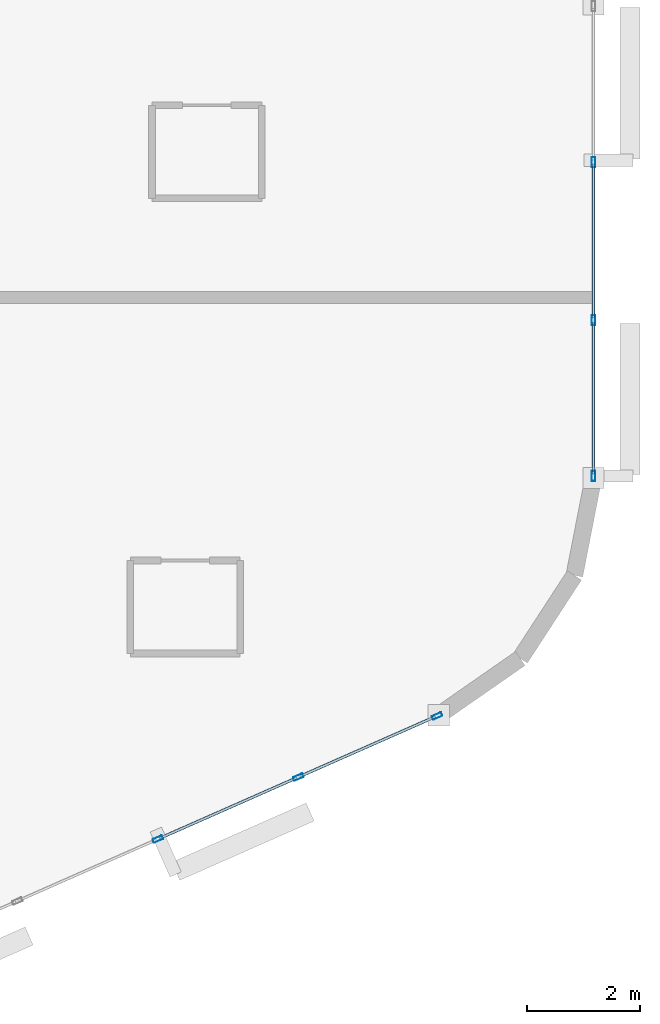
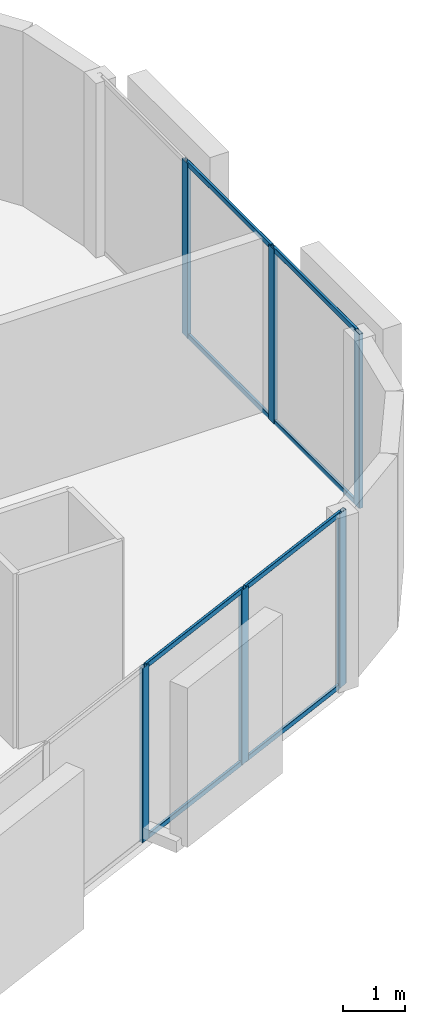
# One storey, part 4 of 12: 14 members, 2 elements without a shape of their own.
"""IFC4 building model written with IfcOpenShell, lengths in metres."""

from ifc_helpers import new_model, si_unit, direction, frame, origin, origin_2d, place, context, subcontext, project, spatial, hollow_rectangle, extrude, material, layer, layer_set, material_profile, profile_set, type_object, element, aggregate, save


model = new_model("IFC4")

# Units and contexts
model_context = context("Model", 3, precision=1e-05, world=origin(), true_north=direction((0.0, 1.0)))
body_context = subcontext(model_context, "Body", "Model", "MODEL_VIEW")
ifc_project = project(units=[si_unit("LENGTHUNIT", "METRE"), si_unit("AREAUNIT", "SQUARE_METRE"), si_unit("VOLUMEUNIT", "CUBIC_METRE"), si_unit("PLANEANGLEUNIT", "RADIAN"), si_unit("MASSUNIT", "GRAM", prefix="KILO")], contexts=[model_context])

# Site, building, storey
site_placement = place(None, origin())
site = spatial("IfcSite", under=ifc_project, at=site_placement, CompositionType="ELEMENT")
building_placement = place(site_placement, origin())
building = spatial("IfcBuilding", under=site, at=building_placement, Name="An Khanh Terracotta Commons", CompositionType="ELEMENT")
storey_placement = place(building_placement, frame((0.0, 0.0, 258.800048828125)))
storey = spatial("IfcBuildingStorey", under=building, at=storey_placement, Name="L67", CompositionType="ELEMENT", Elevation=258.800048828125)

# Curtain wall, members
ifc_material = material(Name="Anodised Aluminium 6063-T6", Category="aluminium")
ifc_layer = layer(ifc_material, 0.2099609375, Name="Anodised Aluminium 6063-T6")
ifc_layer_set = layer_set([ifc_layer], Name="Anodised Aluminium 6063-T6")
curtain_wall_type = type_object("IfcCurtainWallType", Name="CW-SYS-03", PredefinedType="USERDEFINED", material=ifc_layer_set)
curtain_wall_1_placement = place(storey_placement, origin())
curtain_wall_1 = element("IfcCurtainWall", 1, at=curtain_wall_1_placement, inside=storey, type_object=curtain_wall_type, Name="L67 CW-03 Unitised Curtain Wall CW-L67-08", ObjectType="UNITISED CURTAIN WALL", PredefinedType="USERDEFINED")
ifc_material_profile_1 = material_profile(ifc_material, hollow_rectangle(XDim=0.070068359375, YDim=0.179931640625, WallThickness=0.00390625, InnerFilletRadius=0.00390625, OuterFilletRadius=0.008056640625, at=origin_2d()), Name="RHS180x70x4")
ifc_profile_set_1 = profile_set([ifc_material_profile_1], Name="Anodised Aluminium 6063-T6")
member_type_1 = type_object("IfcMemberType", Name="CWM-RHS180x70x4", PredefinedType="MULLION", material=ifc_profile_set_1)
member_1_placement = place(storey_placement, frame((67.8720703125, 13.390380859375, 0.0), z_axis=(0.0, 0.0, 1.0), x_axis=(-0.403676354285, 0.914901853201, 0.0)))
member_1 = element("IfcMember", 2, at=member_1_placement, type_object=member_type_1, Name="CW-03 mullion 3", PredefinedType="MULLION", context=body_context, shape_type="SweptSolid", body=[
    extrude(hollow_rectangle(XDim=0.070068359375, YDim=0.179931640625, WallThickness=0.00390625, InnerFilletRadius=0.00390625, OuterFilletRadius=0.008056640625, at=origin_2d()), origin(), (0.0, 0.0, 1.0), 3.449951171875),
])
member_2_placement = place(storey_placement, frame((70.364501953125, 14.490234375, 0.0), z_axis=(0.0, 0.0, 1.0), x_axis=(-0.403676354285, 0.914901853201, 0.0)))
member_2 = element("IfcMember", 3, at=member_2_placement, type_object=member_type_1, Name="CW-03 mullion 4", PredefinedType="MULLION", context=body_context, shape_type="SweptSolid", body=[
    extrude(hollow_rectangle(XDim=0.070068359375, YDim=0.179931640625, WallThickness=0.00390625, InnerFilletRadius=0.00390625, OuterFilletRadius=0.008056640625, at=origin_2d()), origin(), (0.0, 0.0, 1.0), 3.449951171875),
])
member_3_placement = place(storey_placement, frame((72.824951171875, 15.575927734375, 0.0), z_axis=(0.0, 0.0, 1.0), x_axis=(-0.403676354285, 0.914901853201, 0.0)))
member_3 = element("IfcMember", 4, at=member_3_placement, type_object=member_type_1, Name="CW-03 mullion 5", PredefinedType="MULLION", context=body_context, shape_type="SweptSolid", body=[
    extrude(hollow_rectangle(XDim=0.070068359375, YDim=0.179931640625, WallThickness=0.00390625, InnerFilletRadius=0.00390625, OuterFilletRadius=0.008056640625, at=origin_2d()), origin(), (0.0, 0.0, 1.0), 3.449951171875),
])

curtain_wall_2_placement = place(storey_placement, origin())
curtain_wall_2 = element("IfcCurtainWall", 5, at=curtain_wall_2_placement, inside=storey, type_object=curtain_wall_type, Name="L67 CW-03 Unitised Curtain Wall CW-L67-12", ObjectType="UNITISED CURTAIN WALL", PredefinedType="USERDEFINED")
member_4_placement = place(storey_placement, frame((75.60009765625, 19.8330078125, 0.0), z_axis=(0.0, 0.0, 1.0), x_axis=(-1.0, 0.0, 0.0)))
member_4 = element("IfcMember", 6, at=member_4_placement, type_object=member_type_1, Name="CW-03 mullion 1", PredefinedType="MULLION", context=body_context, shape_type="SweptSolid", body=[
    extrude(hollow_rectangle(XDim=0.070068359375, YDim=0.179931640625, WallThickness=0.00390625, InnerFilletRadius=0.00390625, OuterFilletRadius=0.008056640625, at=origin_2d()), origin(), (0.0, 0.0, 1.0), 3.449951171875),
])
member_5_placement = place(storey_placement, frame((75.60009765625, 22.599365234375, 0.0), z_axis=(0.0, 0.0, 1.0), x_axis=(-1.0, 0.0, 0.0)))
member_5 = element("IfcMember", 7, at=member_5_placement, type_object=member_type_1, Name="CW-03 mullion 2", PredefinedType="MULLION", context=body_context, shape_type="SweptSolid", body=[
    extrude(hollow_rectangle(XDim=0.070068359375, YDim=0.179931640625, WallThickness=0.00390625, InnerFilletRadius=0.00390625, OuterFilletRadius=0.008056640625, at=origin_2d()), origin(), (0.0, 0.0, 1.0), 3.449951171875),
])
member_6_placement = place(storey_placement, frame((75.60009765625, 25.400634765625, 0.0), z_axis=(0.0, 0.0, 1.0), x_axis=(-1.0, 0.0, 0.0)))
member_6 = element("IfcMember", 8, at=member_6_placement, type_object=member_type_1, Name="CW-03 mullion 3", PredefinedType="MULLION", context=body_context, shape_type="SweptSolid", body=[
    extrude(hollow_rectangle(XDim=0.070068359375, YDim=0.179931640625, WallThickness=0.00390625, InnerFilletRadius=0.00390625, OuterFilletRadius=0.008056640625, at=origin_2d()), origin(), (0.0, 0.0, 1.0), 3.449951171875),
])

# Member
ifc_material_profile_2 = material_profile(ifc_material, hollow_rectangle(XDim=0.050048828125, YDim=0.10009765625, WallThickness=0.003173828125, InnerFilletRadius=0.003173828125, OuterFilletRadius=0.00634765625, at=origin_2d()), Name="RHS100x50x3.2")
ifc_profile_set_2 = profile_set([ifc_material_profile_2], Name="Anodised Aluminium 6063-T6")
member_type_2 = type_object("IfcMemberType", Name="CWT-RHS100x50x3.2", PredefinedType="USERDEFINED", material=ifc_profile_set_2)
member_7_placement = place(storey_placement, frame((67.904052734375, 13.404541015625, 0.02490234375), z_axis=(0.914896820753, 0.403687759755, 0.0), x_axis=(-0.403687759755, 0.914896820753, 0.0)))
member_7 = element("IfcMember", 9, at=member_7_placement, type_object=member_type_2, Name="CW-03 transom 3.1", ObjectType="TRANSOM", PredefinedType="USERDEFINED", context=body_context, shape_type="SweptSolid", body=[
    extrude(hollow_rectangle(XDim=0.050048828125, YDim=0.10009765625, WallThickness=0.003173828125, InnerFilletRadius=0.003173828125, OuterFilletRadius=0.00634765625, at=origin_2d()), origin(), (0.0, 0.0, 1.0), 2.654296875),
])

member_8_placement = place(storey_placement, frame((67.904052734375, 13.404541015625, 3.425048828125), z_axis=(0.914896820753, 0.403687759755, 0.0), x_axis=(-0.403687759755, 0.914896820753, 0.0)))
member_8 = element("IfcMember", 10, at=member_8_placement, type_object=member_type_2, Name="CW-03 transom 3.2", ObjectType="TRANSOM", PredefinedType="USERDEFINED", context=body_context, shape_type="SweptSolid", body=[
    extrude(hollow_rectangle(XDim=0.050048828125, YDim=0.10009765625, WallThickness=0.003173828125, InnerFilletRadius=0.003173828125, OuterFilletRadius=0.00634765625, at=origin_2d()), origin(), (0.0, 0.0, 1.0), 2.654296875),
])

member_9_placement = place(storey_placement, frame((70.396484375, 14.50439453125, 0.02490234375), z_axis=(0.914903627858, 0.403672332137, 0.0), x_axis=(-0.403672332137, 0.914903627858, 0.0)))
member_9 = element("IfcMember", 11, at=member_9_placement, type_object=member_type_2, Name="CW-03 transom 4.1", ObjectType="TRANSOM", PredefinedType="USERDEFINED", context=body_context, shape_type="SweptSolid", body=[
    extrude(hollow_rectangle(XDim=0.050048828125, YDim=0.10009765625, WallThickness=0.003173828125, InnerFilletRadius=0.003173828125, OuterFilletRadius=0.00634765625, at=origin_2d()), origin(), (0.0, 0.0, 1.0), 2.619384765625),
])

member_10_placement = place(storey_placement, frame((70.396484375, 14.50439453125, 3.425048828125), z_axis=(0.914903627858, 0.403672332137, 0.0), x_axis=(-0.403672332137, 0.914903627858, 0.0)))
member_10 = element("IfcMember", 12, at=member_10_placement, type_object=member_type_2, Name="CW-03 transom 4.2", ObjectType="TRANSOM", PredefinedType="USERDEFINED", context=body_context, shape_type="SweptSolid", body=[
    extrude(hollow_rectangle(XDim=0.050048828125, YDim=0.10009765625, WallThickness=0.003173828125, InnerFilletRadius=0.003173828125, OuterFilletRadius=0.00634765625, at=origin_2d()), origin(), (0.0, 0.0, 1.0), 2.619384765625),
])

aggregate(curtain_wall_1, [member_1, member_2, member_3, member_7, member_8, member_9, member_10])

member_11_placement = place(storey_placement, frame((75.60009765625, 19.867919921875, 0.02490234375), z_axis=(0.0, 1.0, 0.0), x_axis=(-1.0, 0.0, 0.0)))
member_11 = element("IfcMember", 13, at=member_11_placement, type_object=member_type_2, Name="CW-03 transom 1.1", ObjectType="TRANSOM", PredefinedType="USERDEFINED", context=body_context, shape_type="SweptSolid", body=[
    extrude(hollow_rectangle(XDim=0.050048828125, YDim=0.10009765625, WallThickness=0.003173828125, InnerFilletRadius=0.003173828125, OuterFilletRadius=0.00634765625, at=origin_2d()), origin(), (0.0, 0.0, 1.0), 2.696533203125),
])

member_12_placement = place(storey_placement, frame((75.60009765625, 19.867919921875, 3.425048828125), z_axis=(0.0, 1.0, 0.0), x_axis=(-1.0, 0.0, 0.0)))
member_12 = element("IfcMember", 14, at=member_12_placement, type_object=member_type_2, Name="CW-03 transom 1.2", ObjectType="TRANSOM", PredefinedType="USERDEFINED", context=body_context, shape_type="SweptSolid", body=[
    extrude(hollow_rectangle(XDim=0.050048828125, YDim=0.10009765625, WallThickness=0.003173828125, InnerFilletRadius=0.003173828125, OuterFilletRadius=0.00634765625, at=origin_2d()), origin(), (0.0, 0.0, 1.0), 2.696533203125),
])

member_13_placement = place(storey_placement, frame((75.60009765625, 22.63427734375, 0.02490234375), z_axis=(0.0, 1.0, 0.0), x_axis=(-1.0, 0.0, 0.0)))
member_13 = element("IfcMember", 15, at=member_13_placement, type_object=member_type_2, Name="CW-03 transom 2.1", ObjectType="TRANSOM", PredefinedType="USERDEFINED", context=body_context, shape_type="SweptSolid", body=[
    extrude(hollow_rectangle(XDim=0.050048828125, YDim=0.10009765625, WallThickness=0.003173828125, InnerFilletRadius=0.003173828125, OuterFilletRadius=0.00634765625, at=origin_2d()), origin(), (0.0, 0.0, 1.0), 2.7314453125),
])

member_14_placement = place(storey_placement, frame((75.60009765625, 22.63427734375, 3.425048828125), z_axis=(0.0, 1.0, 0.0), x_axis=(-1.0, 0.0, 0.0)))
member_14 = element("IfcMember", 16, at=member_14_placement, type_object=member_type_2, Name="CW-03 transom 2.2", ObjectType="TRANSOM", PredefinedType="USERDEFINED", context=body_context, shape_type="SweptSolid", body=[
    extrude(hollow_rectangle(XDim=0.050048828125, YDim=0.10009765625, WallThickness=0.003173828125, InnerFilletRadius=0.003173828125, OuterFilletRadius=0.00634765625, at=origin_2d()), origin(), (0.0, 0.0, 1.0), 2.7314453125),
])

aggregate(curtain_wall_2, [member_4, member_5, member_6, member_11, member_12, member_13, member_14])

save(model, "model.ifc")
